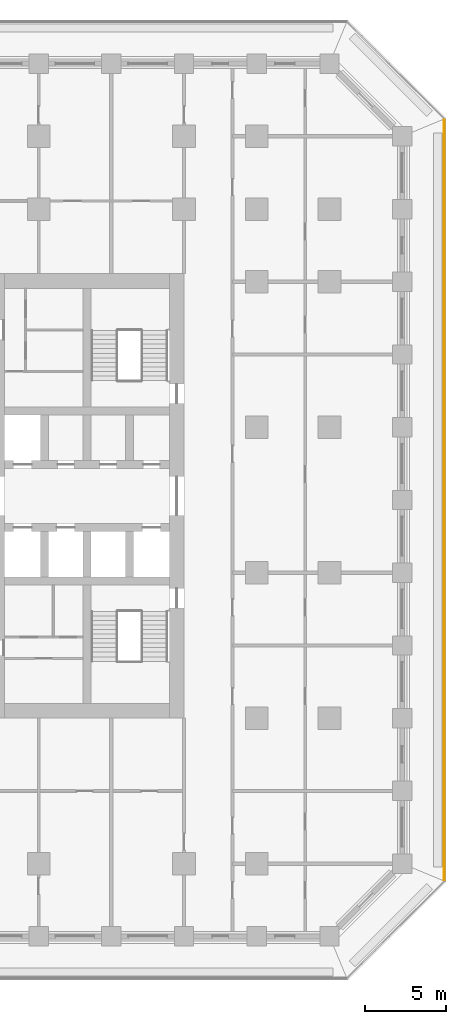
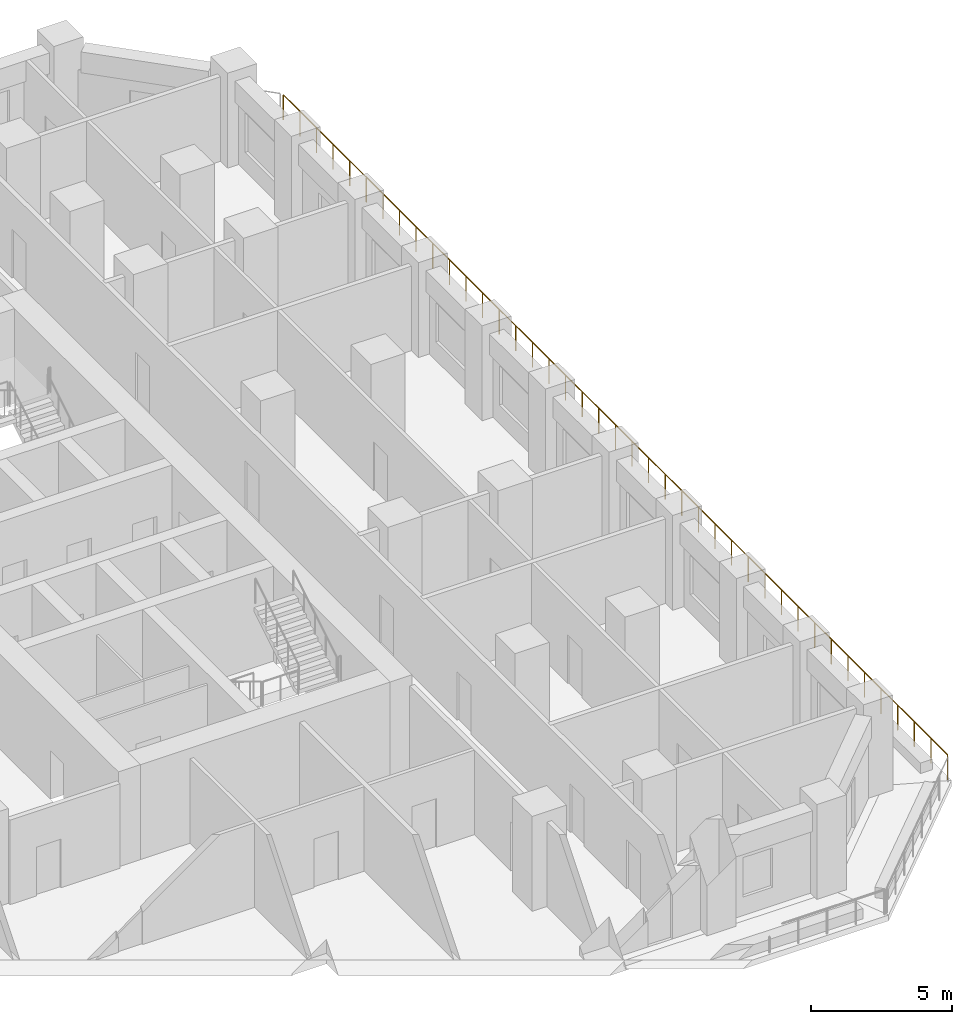
# One storey, part 14 of 18: 1 railing.
"""IFC4 building model written with IfcOpenShell, lengths in metres."""

import ifcopenshell
import ifcopenshell.guid

model = None  # the IFC model being written
_history = None  # IfcOwnerHistory: only IFC2X3 demands one
_inside = {}  # id of a spatial element -> (the spatial element, [elements in it])
_under = {}  # id of a project, library or spatial element -> (it, [spatial elements below it])
_declared = {}  # id of a project -> (the project, [libraries it declares])
_typed = {}  # id of a type object -> (the type object, [elements of that type])
_made_of = {}  # id of a material, layer set ... -> (it, [elements and type objects made of it])


def new_model(schema):
    """Start an empty IFC model of exactly this schema.

    Asked for "IFC4X3", IfcOpenShell would pick the latest addendum, in which some entities
    have other attributes; the version numbers below select the first issue.
    IFC2X3 requires an IfcOwnerHistory on every rooted entity: one is made here for all.
    """
    global model, _history
    if schema == "IFC4X3":
        model = ifcopenshell.file(schema_version=(4, 3, 0, 0))
    else:
        model = ifcopenshell.file(schema=schema)
    _inside.clear()
    _under.clear()
    _declared.clear()
    _typed.clear()
    _made_of.clear()
    _history = None
    if model.schema == "IFC2X3":
        org = make("IfcOrganization", Name="unknown")
        user = make(
            "IfcPersonAndOrganization",
            ThePerson=make("IfcPerson", FamilyName="unknown"),
            TheOrganization=org,
        )
        app = make(
            "IfcApplication",
            ApplicationDeveloper=org,
            Version="unknown",
            ApplicationFullName="unknown",
            ApplicationIdentifier="unknown",
        )
        _history = make(
            "IfcOwnerHistory",
            OwningUser=user,
            OwningApplication=app,
            ChangeAction="ADDED",
            CreationDate=0,
        )
    return model


def make(cls, **values):
    """One entity of the class cls with the attributes given. An attribute that is None is left unset."""
    return model.create_entity(
        cls, **{name: value for name, value in values.items() if value is not None}
    )


def rooted(cls, **values):
    """An entity with a GlobalId (a new one), such as an element, a storey or a relation."""
    return make(cls, GlobalId=ifcopenshell.guid.new(), OwnerHistory=_history, **values)


def si_unit(unit_type, name, prefix=None):
    """IfcSIUnit, for example si_unit("LENGTHUNIT", "METRE", prefix="MILLI")."""
    return make("IfcSIUnit", UnitType=unit_type, Prefix=prefix, Name=name)


def assignment(units):
    """IfcUnitAssignment: the units of a project."""
    return None if units is None else make("IfcUnitAssignment", Units=units)


def point(xyz):
    """IfcCartesianPoint."""
    return None if xyz is None else make("IfcCartesianPoint", Coordinates=xyz)


def direction(xyz):
    """IfcDirection."""
    return None if xyz is None else make("IfcDirection", DirectionRatios=xyz)


def frame(location, z_axis=None, x_axis=None):
    """IfcAxis2Placement3D, a coordinate frame: its origin and axes. An axis left out is left unset."""
    return make(
        "IfcAxis2Placement3D",
        Location=point(location),
        Axis=direction(z_axis),
        RefDirection=direction(x_axis),
    )


def frame_2d(location, x_axis=None):
    """IfcAxis2Placement2D, a coordinate frame in the plane: its origin and x axis."""
    return make(
        "IfcAxis2Placement2D", Location=point(location), RefDirection=direction(x_axis)
    )


def origin():
    """The frame at (0, 0, 0) with its axes left unset."""
    return frame((0.0, 0.0, 0.0))


def origin_2d():
    """The frame at (0, 0) in the plane with its x axis left unset."""
    return frame_2d((0.0, 0.0))


def place(relative_to, where):
    """IfcLocalPlacement: puts the frame where relative to a parent placement (None: the world)."""
    return make(
        "IfcLocalPlacement", PlacementRelTo=relative_to, RelativePlacement=where
    )


def context(
    kind, dimensions, precision=None, world=None, true_north=None, identifier=None
):
    """IfcGeometricRepresentationContext, for example the 3D "Model" context."""
    return make(
        "IfcGeometricRepresentationContext",
        ContextIdentifier=identifier,
        ContextType=kind,
        CoordinateSpaceDimension=dimensions,
        Precision=precision,
        WorldCoordinateSystem=world,
        TrueNorth=true_north,
    )


def subcontext(parent, identifier, kind, view, scale=None):
    """IfcGeometricRepresentationSubContext, for example "Body" below "Model"."""
    return make(
        "IfcGeometricRepresentationSubContext",
        ContextIdentifier=identifier,
        ContextType=kind,
        ParentContext=parent,
        TargetScale=scale,
        TargetView=view,
    )


def project(units=None, contexts=None):
    """IfcProject with its units and contexts."""
    return rooted(
        "IfcProject",
        Name="project",
        RepresentationContexts=contexts,
        UnitsInContext=assignment(units),
    )


def spatial(cls, under=None, at=None, **own):
    """A site, building, storey or space (cls), placed at a placement, below another one or the project."""
    s = rooted(cls, ObjectPlacement=at, **own)
    if under is not None:
        _under.setdefault(under.id(), (under, []))[1].append(s)
    return s


def profile(cls, at=None, kind="AREA", **sizes):
    """A parametric profile (cls). Its sizes go by their IFC names, for example OverallWidth=200.0."""
    return make(cls, ProfileType=kind, Position=at, **sizes)


def circle(**sizes):
    """IfcCircleProfileDef."""
    return profile("IfcCircleProfileDef", **sizes)


def extrude(swept, where, along, depth):
    """IfcExtrudedAreaSolid: the profile swept, set in the frame where, extruded along a direction by depth."""
    return make(
        "IfcExtrudedAreaSolid",
        SweptArea=swept,
        Position=where,
        ExtrudedDirection=direction(along),
        Depth=depth,
    )


def shape(context_of_items, identifier, shape_type, items):
    """IfcShapeRepresentation: the items that make up one representation, for example the "Body"."""
    return make(
        "IfcShapeRepresentation",
        ContextOfItems=context_of_items,
        RepresentationIdentifier=identifier,
        RepresentationType=shape_type,
        Items=items,
    )


def material(Name=None, Category=None):
    """IfcMaterial."""
    return make("IfcMaterial", Name=Name, Category=Category)


def made_of(thing, what):
    """Note that an element or type object is made of a material, layer set ...; save() writes the relation."""
    if what is not None:
        _made_of.setdefault(what.id(), (what, []))[1].append(thing)
    return thing


def type_object(cls, material=None, **own):
    """A type object (cls), such as IfcWallType, which elements share."""
    return made_of(rooted(cls, **own), material)


def element(
    cls,
    number,
    at=None,
    inside=None,
    cuts=None,
    type_object=None,
    material=None,
    context=None,
    identifier="Body",
    shape_type=None,
    held_by="IfcProductDefinitionShape",
    body=None,
    shapes=None,
    **own,
):
    """One element of the class cls, such as IfcWall. Its Tag is "e" and its number.

    at: its placement. inside: the storey or other place that contains it. cuts: it is an
    opening in that element (IfcRelVoidsElement). A single representation is given by context,
    identifier, shape_type and body (its items); several are given by shapes. held_by: the class
    of the entity that holds the representations. save() writes the other relations.
    """
    e = rooted(cls, Tag="e%d" % number, ObjectPlacement=at, **own)
    if body is not None:
        shapes = [shape(context, identifier, shape_type, body)]
    if shapes is not None:
        e.Representation = make(held_by, Representations=shapes)
    if inside is not None:
        _inside.setdefault(inside.id(), (inside, []))[1].append(e)
    if cuts is not None:
        rooted(
            "IfcRelVoidsElement", RelatingBuildingElement=cuts, RelatedOpeningElement=e
        )
    if type_object is not None:
        _typed.setdefault(type_object.id(), (type_object, []))[1].append(e)
    return made_of(e, material)


def aggregate(whole, parts):
    """IfcRelAggregates: a whole, such as a stair, and the parts it consists of."""
    return rooted("IfcRelAggregates", RelatingObject=whole, RelatedObjects=parts)


def save(model, path):
    """Write the relations noted so far, then the file.

    IfcRelAggregates (storeys below a building ...), IfcRelContainedInSpatialStructure (elements
    in a storey), IfcRelDefinesByType, IfcRelAssociatesMaterial and IfcRelDeclares: one each for
    every whole, place, type object, material and project.
    """
    for whole, parts in _under.values():
        aggregate(whole, parts)
    for where, things in _inside.values():
        rooted(
            "IfcRelContainedInSpatialStructure",
            RelatedElements=things,
            RelatingStructure=where,
        )
    for kind, things in _typed.values():
        rooted("IfcRelDefinesByType", RelatedObjects=things, RelatingType=kind)
    for what, things in _made_of.values():
        rooted("IfcRelAssociatesMaterial", RelatedObjects=things, RelatingMaterial=what)
    for by, libraries in _declared.values():
        rooted("IfcRelDeclares", RelatingContext=by, RelatedDefinitions=libraries)
    model.write(path)


model = new_model("IFC4")

# Units and contexts
model_context = context("Model", 3, precision=1e-05, world=origin(), true_north=direction((0.0, 1.0)))
body_context = subcontext(model_context, "Body", "Model", "MODEL_VIEW")
ifc_project = project(units=[si_unit("LENGTHUNIT", "METRE"), si_unit("AREAUNIT", "SQUARE_METRE"), si_unit("VOLUMEUNIT", "CUBIC_METRE"), si_unit("PLANEANGLEUNIT", "RADIAN"), si_unit("MASSUNIT", "GRAM", prefix="KILO")], contexts=[model_context])

# Site, building, storey
site_placement = place(None, origin())
site = spatial("IfcSite", under=ifc_project, at=site_placement, CompositionType="ELEMENT")
building_placement = place(site_placement, origin())
building = spatial("IfcBuilding", under=site, at=building_placement, Name="Corbel Stack Research Tower", CompositionType="ELEMENT")
storey_placement = place(building_placement, frame((0.0, 0.0, 102.5)))
storey = spatial("IfcBuildingStorey", under=building, at=storey_placement, Name="L23", CompositionType="ELEMENT", Elevation=102.5)

# Railing
ifc_material = material(Name="Powder-coated steel guard", Category="steel")
railing_type = type_object("IfcRailingType", Name="Steel and glass guard 1100", PredefinedType="GUARDRAIL", material=ifc_material)
railing_placement = place(storey_placement, frame((34.10009765625, -19.00537109375, 0.0)))
element("IfcRailing", 1, at=railing_placement, inside=storey, type_object=railing_type, Name="Loggia guard L23 E", PredefinedType="GUARDRAIL", context=body_context, shape_type="SweptSolid", body=[
    extrude(circle(Radius=0.02392578125, at=origin_2d()), frame((0.0, 0.0, 1.076171875), z_axis=(0.0, 1.0, 0.0), x_axis=(-1.0, 0.0, 0.0)), (0.0, 0.0, 1.0), 47.0107421875),
    extrude(circle(Radius=0.02099609375, at=origin_2d()), origin(), (0.0, 0.0, 1.0), 1.052001953125),
    extrude(circle(Radius=0.02099609375, at=origin_2d()), frame((0.0, 1.17529296875, 0.0)), (0.0, 0.0, 1.0), 1.052001953125),
    extrude(circle(Radius=0.02099609375, at=origin_2d()), frame((0.0, 2.3505859375, 0.0)), (0.0, 0.0, 1.0), 1.052001953125),
    extrude(circle(Radius=0.02099609375, at=origin_2d()), frame((0.0, 3.52587890625, 0.0)), (0.0, 0.0, 1.0), 1.052001953125),
    extrude(circle(Radius=0.02099609375, at=origin_2d()), frame((0.0, 4.701171875, 0.0)), (0.0, 0.0, 1.0), 1.052001953125),
    extrude(circle(Radius=0.02099609375, at=origin_2d()), frame((0.0, 5.87646484375, 0.0)), (0.0, 0.0, 1.0), 1.052001953125),
    extrude(circle(Radius=0.02099609375, at=origin_2d()), frame((0.0, 7.051513671875, 0.0)), (0.0, 0.0, 1.0), 1.052001953125),
    extrude(circle(Radius=0.02099609375, at=origin_2d()), frame((0.0, 8.226806640625, 0.0)), (0.0, 0.0, 1.0), 1.052001953125),
    extrude(circle(Radius=0.02099609375, at=origin_2d()), frame((0.0, 9.402099609375, 0.0)), (0.0, 0.0, 1.0), 1.052001953125),
    extrude(circle(Radius=0.02099609375, at=origin_2d()), frame((0.0, 10.577392578125, 0.0)), (0.0, 0.0, 1.0), 1.052001953125),
    extrude(circle(Radius=0.02099609375, at=origin_2d()), frame((0.0, 11.752685546875, 0.0)), (0.0, 0.0, 1.0), 1.052001953125),
    extrude(circle(Radius=0.02099609375, at=origin_2d()), frame((0.0, 12.927978515625, 0.0)), (0.0, 0.0, 1.0), 1.052001953125),
    extrude(circle(Radius=0.02099609375, at=origin_2d()), frame((0.0, 14.103271484375, 0.0)), (0.0, 0.0, 1.0), 1.052001953125),
    extrude(circle(Radius=0.02099609375, at=origin_2d()), frame((0.0, 15.278564453125, 0.0)), (0.0, 0.0, 1.0), 1.052001953125),
    extrude(circle(Radius=0.02099609375, at=origin_2d()), frame((0.0, 16.453857421875, 0.0)), (0.0, 0.0, 1.0), 1.052001953125),
    extrude(circle(Radius=0.02099609375, at=origin_2d()), frame((0.0, 17.62890625, 0.0)), (0.0, 0.0, 1.0), 1.052001953125),
    extrude(circle(Radius=0.02099609375, at=origin_2d()), frame((0.0, 18.80419921875, 0.0)), (0.0, 0.0, 1.0), 1.052001953125),
    extrude(circle(Radius=0.02099609375, at=origin_2d()), frame((0.0, 19.9794921875, 0.0)), (0.0, 0.0, 1.0), 1.052001953125),
    extrude(circle(Radius=0.02099609375, at=origin_2d()), frame((0.0, 21.15478515625, 0.0)), (0.0, 0.0, 1.0), 1.052001953125),
    extrude(circle(Radius=0.02099609375, at=origin_2d()), frame((0.0, 22.330078125, 0.0)), (0.0, 0.0, 1.0), 1.052001953125),
    extrude(circle(Radius=0.02099609375, at=origin_2d()), frame((0.0, 23.50537109375, 0.0)), (0.0, 0.0, 1.0), 1.052001953125),
    extrude(circle(Radius=0.02099609375, at=origin_2d()), frame((0.0, 24.6806640625, 0.0)), (0.0, 0.0, 1.0), 1.052001953125),
    extrude(circle(Radius=0.02099609375, at=origin_2d()), frame((0.0, 25.85595703125, 0.0)), (0.0, 0.0, 1.0), 1.052001953125),
    extrude(circle(Radius=0.02099609375, at=origin_2d()), frame((0.0, 27.03125, 0.0)), (0.0, 0.0, 1.0), 1.052001953125),
    extrude(circle(Radius=0.02099609375, at=origin_2d()), frame((0.0, 28.20654296875, 0.0)), (0.0, 0.0, 1.0), 1.052001953125),
    extrude(circle(Radius=0.02099609375, at=origin_2d()), frame((0.0, 29.3818359375, 0.0)), (0.0, 0.0, 1.0), 1.052001953125),
    extrude(circle(Radius=0.02099609375, at=origin_2d()), frame((0.0, 30.556884765625, 0.0)), (0.0, 0.0, 1.0), 1.052001953125),
    extrude(circle(Radius=0.02099609375, at=origin_2d()), frame((0.0, 31.732177734375, 0.0)), (0.0, 0.0, 1.0), 1.052001953125),
    extrude(circle(Radius=0.02099609375, at=origin_2d()), frame((0.0, 32.907470703125, 0.0)), (0.0, 0.0, 1.0), 1.052001953125),
    extrude(circle(Radius=0.02099609375, at=origin_2d()), frame((0.0, 34.082763671875, 0.0)), (0.0, 0.0, 1.0), 1.052001953125),
    extrude(circle(Radius=0.02099609375, at=origin_2d()), frame((0.0, 35.258056640625, 0.0)), (0.0, 0.0, 1.0), 1.052001953125),
    extrude(circle(Radius=0.02099609375, at=origin_2d()), frame((0.0, 36.433349609375, 0.0)), (0.0, 0.0, 1.0), 1.052001953125),
    extrude(circle(Radius=0.02099609375, at=origin_2d()), frame((0.0, 37.608642578125, 0.0)), (0.0, 0.0, 1.0), 1.052001953125),
    extrude(circle(Radius=0.02099609375, at=origin_2d()), frame((0.0, 38.783935546875, 0.0)), (0.0, 0.0, 1.0), 1.052001953125),
    extrude(circle(Radius=0.02099609375, at=origin_2d()), frame((0.0, 39.959228515625, 0.0)), (0.0, 0.0, 1.0), 1.052001953125),
    extrude(circle(Radius=0.02099609375, at=origin_2d()), frame((0.0, 41.13427734375, 0.0)), (0.0, 0.0, 1.0), 1.052001953125),
    extrude(circle(Radius=0.02099609375, at=origin_2d()), frame((0.0, 42.3095703125, 0.0)), (0.0, 0.0, 1.0), 1.052001953125),
    extrude(circle(Radius=0.02099609375, at=origin_2d()), frame((0.0, 43.48486328125, 0.0)), (0.0, 0.0, 1.0), 1.052001953125),
    extrude(circle(Radius=0.02099609375, at=origin_2d()), frame((0.0, 44.66015625, 0.0)), (0.0, 0.0, 1.0), 1.052001953125),
    extrude(circle(Radius=0.02099609375, at=origin_2d()), frame((0.0, 45.83544921875, 0.0)), (0.0, 0.0, 1.0), 1.052001953125),
    extrude(circle(Radius=0.02099609375, at=origin_2d()), frame((0.0, 47.0107421875, 0.0)), (0.0, 0.0, 1.0), 1.052001953125),
])

save(model, "model.ifc")
